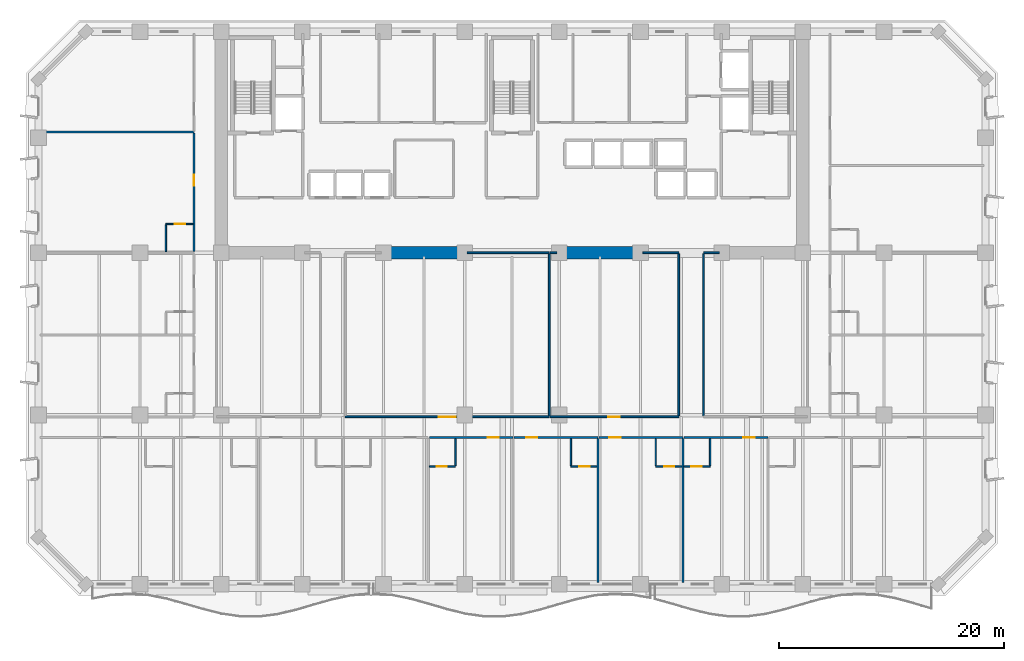
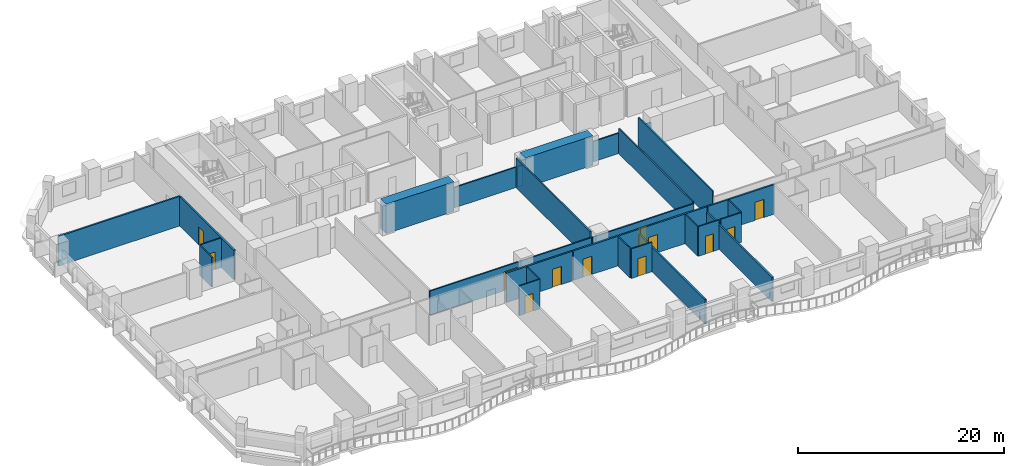
# One storey, part 6 of 15: 29 walls, 12 doors, 12 openings.
"""IFC4 building model written with IfcOpenShell, lengths in metres."""

from ifc_helpers import new_model, si_unit, direction, frame, frame_2d, origin, place, context, subcontext, project, spatial, rectangle, extrude, material, layer, layer_set, type_object, element, fill, save


model = new_model("IFC4")

# Units and contexts
model_context = context("Model", 3, precision=1e-05, world=origin(), true_north=direction((0.0, 1.0)))
body_context = subcontext(model_context, "Body", "Model", "MODEL_VIEW")
ifc_project = project(units=[si_unit("LENGTHUNIT", "METRE"), si_unit("AREAUNIT", "SQUARE_METRE"), si_unit("VOLUMEUNIT", "CUBIC_METRE"), si_unit("PLANEANGLEUNIT", "RADIAN"), si_unit("MASSUNIT", "GRAM", prefix="KILO")], contexts=[model_context])

# Site, building, storey
site_placement = place(None, origin())
site = spatial("IfcSite", under=ifc_project, at=site_placement, CompositionType="ELEMENT")
building_placement = place(site_placement, origin())
building = spatial("IfcBuilding", under=site, at=building_placement, Name="Kaelvorn Grand Hotel", CompositionType="ELEMENT")
storey_placement = place(building_placement, frame((0.0, 0.0, 65.14990234375)))
storey = spatial("IfcBuildingStorey", under=building, at=storey_placement, Name="L14", CompositionType="ELEMENT", Elevation=65.14990234375)

# Walls
ifc_material_1 = material(Name="Concrete C80/95", Category="concrete")
ifc_layer_1 = layer(ifc_material_1, 1.10009765625)
ifc_layer_set_1 = layer_set([ifc_layer_1], Name="Concrete C80/95")
wall_type_1 = type_object("IfcWallType", Name="WL-CORE-1100-C80", PredefinedType="SHEAR", material=ifc_layer_set_1)
for number, where, z_axis, x_axis, name in (
    (1, (30.39990234375, 29.39990234375, 0.0), (0.0, 0.0, 1.0), (1.0, 0.0, 0.0), "L14 Rear-Core Coupled Shear Pier S2"),
    (2, (46.0, 29.39990234375, 0.0), (0.0, 0.0, 1.0), (1.0, 0.0, 0.0), "L14 Rear-Core Coupled Shear Pier S3"),
):
    element("IfcWall", number, at=place(storey_placement, frame(where, z_axis=z_axis, x_axis=x_axis)), inside=storey, type_object=wall_type_1, Name=name, PredefinedType="SHEAR", context=body_context, shape_type="SweptSolid", body=[
        extrude(rectangle(XDim=7.60009765625, YDim=1.10009765625, at=frame_2d((3.800048828125, 0.0))), origin(), (0.0, 0.0, 1.0), 3.510009765625),
    ])

# Wall, opening, door
ifc_material_2 = material(Name="Moisture-Resistant Tile & Stud Board")
ifc_layer_2 = layer(ifc_material_2, 0.125)
ifc_layer_set_2 = layer_set([ifc_layer_2], Name="Moisture-Resistant Tile & Stud Board")
wall_type_2 = type_object("IfcWallType", Name="WL-PART-125-WET", PredefinedType="PARTITIONING", material=ifc_layer_set_2)
wall_1_placement = place(storey_placement, frame((34.665283203125, 10.449951171875, 0.0), z_axis=(0.0, 0.0, 1.0), x_axis=(1.0, 0.0, 0.0)))
wall_1 = element("IfcWall", 3, at=wall_1_placement, inside=storey, type_object=wall_type_2, Name="L14 En-suite Bathroom L14-05 S Partition", PredefinedType="PARTITIONING", context=body_context, shape_type="SweptSolid", body=[
    extrude(rectangle(XDim=2.31494140625, YDim=0.125, at=frame_2d((1.157470703125, 0.0))), origin(), (0.0, 0.0, 1.0), 3.510009765625),
])
opening_1_placement = place(wall_1_placement, frame((0.659912109375, 0.0, 0.0)))
opening_1 = element("IfcOpeningElement", 4, at=opening_1_placement, cuts=wall_1, Name="Opening DI4", PredefinedType="OPENING", context=body_context, shape_type="SweptSolid", body=[
    extrude(rectangle(XDim=0.89990234375, YDim=2.10009765625, at=frame_2d((0.449951171875, 1.050048828125))), frame((0.0, 0.072509765625, 0.0), z_axis=(0.0, -1.0, 0.0), x_axis=(1.0, 0.0, 0.0)), (0.0, 0.0, 1.0), 0.14501953125),
])
ifc_material_3 = material(Name="Timber Veneer Leaf", Category="wood")
door_type_1 = type_object("IfcDoorType", Name="DR-INT-BATH-900x2100", OperationType="NOTDEFINED", PredefinedType="DOOR", material=ifc_material_3)
door_1_placement = place(opening_1_placement, origin())
door_1 = element("IfcDoor", 5, at=door_1_placement, inside=storey, type_object=door_type_1, Name="L14 En-suite Bathroom L14-05 Door", OperationType="SINGLE_SWING_RIGHT", OverallHeight=2.10009765625, OverallWidth=0.89990234375, PredefinedType="DOOR", context=body_context, shape_type="SweptSolid", body=[
    extrude(rectangle(XDim=0.89990234375, YDim=2.10009765625, at=frame_2d((0.449951171875, 1.050048828125))), frame((0.0, 0.02490234375, 0.0), z_axis=(0.0, -1.0, 0.0), x_axis=(1.0, 0.0, 0.0)), (0.0, 0.0, 1.0), 0.050048828125),
])
fill(opening_1, door_1)

# Wall
wall_2_placement = place(storey_placement, frame((36.980224609375, 10.517578125, 0.0), z_axis=(0.0, 0.0, 1.0), x_axis=(0.0, 1.0, 0.0)))
element("IfcWall", 6, at=wall_2_placement, inside=storey, type_object=wall_type_2, Name="L14 En-suite Bathroom L14-05 E Partition", PredefinedType="PARTITIONING", context=body_context, shape_type="SweptSolid", body=[
    extrude(rectangle(XDim=2.387451171875, YDim=0.125, at=frame_2d((1.19384765625, 0.0))), origin(), (0.0, 0.0, 1.0), 3.510009765625),
])

# Wall, opening, door
wall_3_placement = place(storey_placement, frame((47.220458984375, 10.449951171875, 0.0), z_axis=(0.0, 0.0, 1.0), x_axis=(1.0, 0.0, 0.0)))
wall_3 = element("IfcWall", 7, at=wall_3_placement, inside=storey, type_object=wall_type_2, Name="L14 En-suite Bathroom L14-06 S Partition", PredefinedType="PARTITIONING", context=body_context, shape_type="SweptSolid", body=[
    extrude(rectangle(XDim=2.31494140625, YDim=0.125, at=frame_2d((1.157470703125, 0.0))), origin(), (0.0, 0.0, 1.0), 3.510009765625),
])
opening_2_placement = place(wall_3_placement, frame((0.7548828125, 0.0, 0.0)))
opening_2 = element("IfcOpeningElement", 8, at=opening_2_placement, cuts=wall_3, Name="Opening DI4", PredefinedType="OPENING", context=body_context, shape_type="SweptSolid", body=[
    extrude(rectangle(XDim=0.89990234375, YDim=2.10009765625, at=frame_2d((0.449951171875, 1.050048828125))), frame((0.0, 0.072509765625, 0.0), z_axis=(0.0, -1.0, 0.0), x_axis=(1.0, 0.0, 0.0)), (0.0, 0.0, 1.0), 0.14501953125),
])
door_2_placement = place(opening_2_placement, origin())
door_2 = element("IfcDoor", 9, at=door_2_placement, inside=storey, type_object=door_type_1, Name="L14 En-suite Bathroom L14-06 Door", OperationType="SINGLE_SWING_RIGHT", OverallHeight=2.10009765625, OverallWidth=0.89990234375, PredefinedType="DOOR", context=body_context, shape_type="SweptSolid", body=[
    extrude(rectangle(XDim=0.89990234375, YDim=2.10009765625, at=frame_2d((0.449951171875, 1.050048828125))), frame((0.0, 0.02490234375, 0.0), z_axis=(0.0, -1.0, 0.0), x_axis=(1.0, 0.0, 0.0)), (0.0, 0.0, 1.0), 0.050048828125),
])
fill(opening_2, door_2)

# Wall
wall_4_placement = place(storey_placement, frame((47.220458984375, 10.517578125, 0.0), z_axis=(0.0, 0.0, 1.0), x_axis=(0.0, 1.0, 0.0)))
element("IfcWall", 10, at=wall_4_placement, inside=storey, type_object=wall_type_2, Name="L14 En-suite Bathroom L14-06 W Partition", PredefinedType="PARTITIONING", context=body_context, shape_type="SweptSolid", body=[
    extrude(rectangle(XDim=2.387451171875, YDim=0.125, at=frame_2d((1.19384765625, 0.0))), origin(), (0.0, 0.0, 1.0), 3.510009765625),
])

# Wall, opening, door
wall_5_placement = place(storey_placement, frame((54.75048828125, 10.449951171875, 0.0), z_axis=(0.0, 0.0, 1.0), x_axis=(1.0, 0.0, 0.0)))
wall_5 = element("IfcWall", 11, at=wall_5_placement, inside=storey, type_object=wall_type_2, Name="L14 En-suite Bathroom L14-07 S Partition", PredefinedType="PARTITIONING", context=body_context, shape_type="SweptSolid", body=[
    extrude(rectangle(XDim=2.315185546875, YDim=0.125, at=frame_2d((1.15771484375, 0.0))), origin(), (0.0, 0.0, 1.0), 3.510009765625),
])
opening_3_placement = place(wall_5_placement, frame((0.7548828125, 0.0, 0.0)))
opening_3 = element("IfcOpeningElement", 12, at=opening_3_placement, cuts=wall_5, Name="Opening DI4", PredefinedType="OPENING", context=body_context, shape_type="SweptSolid", body=[
    extrude(rectangle(XDim=0.89990234375, YDim=2.10009765625, at=frame_2d((0.449951171875, 1.050048828125))), frame((0.0, 0.072509765625, 0.0), z_axis=(0.0, -1.0, 0.0), x_axis=(1.0, 0.0, 0.0)), (0.0, 0.0, 1.0), 0.14501953125),
])
door_3_placement = place(opening_3_placement, origin())
door_3 = element("IfcDoor", 13, at=door_3_placement, inside=storey, type_object=door_type_1, Name="L14 En-suite Bathroom L14-07 Door", OperationType="SINGLE_SWING_RIGHT", OverallHeight=2.10009765625, OverallWidth=0.89990234375, PredefinedType="DOOR", context=body_context, shape_type="SweptSolid", body=[
    extrude(rectangle(XDim=0.89990234375, YDim=2.10009765625, at=frame_2d((0.449951171875, 1.050048828125))), frame((0.0, 0.02490234375, 0.0), z_axis=(0.0, -1.0, 0.0), x_axis=(1.0, 0.0, 0.0)), (0.0, 0.0, 1.0), 0.050048828125),
])
fill(opening_3, door_3)

# Wall
wall_6_placement = place(storey_placement, frame((54.75048828125, 10.517578125, 0.0), z_axis=(0.0, 0.0, 1.0), x_axis=(0.0, 1.0, 0.0)))
element("IfcWall", 14, at=wall_6_placement, inside=storey, type_object=wall_type_2, Name="L14 En-suite Bathroom L14-07 W Partition", PredefinedType="PARTITIONING", context=body_context, shape_type="SweptSolid", body=[
    extrude(rectangle(XDim=2.387451171875, YDim=0.125, at=frame_2d((1.19384765625, 0.0))), origin(), (0.0, 0.0, 1.0), 3.510009765625),
])

# Wall, opening, door
wall_7_placement = place(storey_placement, frame((57.255615234375, 10.449951171875, 0.0), z_axis=(0.0, 0.0, 1.0), x_axis=(1.0, 0.0, 0.0)))
wall_7 = element("IfcWall", 15, at=wall_7_placement, inside=storey, type_object=wall_type_2, Name="L14 En-suite Bathroom L14-08 S Partition", PredefinedType="PARTITIONING", context=body_context, shape_type="SweptSolid", body=[
    extrude(rectangle(XDim=2.31494140625, YDim=0.125, at=frame_2d((1.157470703125, 0.0))), origin(), (0.0, 0.0, 1.0), 3.510009765625),
])
opening_4_placement = place(wall_7_placement, frame((0.659912109375, 0.0, 0.0)))
opening_4 = element("IfcOpeningElement", 16, at=opening_4_placement, cuts=wall_7, Name="Opening DI4", PredefinedType="OPENING", context=body_context, shape_type="SweptSolid", body=[
    extrude(rectangle(XDim=0.89990234375, YDim=2.10009765625, at=frame_2d((0.449951171875, 1.050048828125))), frame((0.0, 0.072509765625, 0.0), z_axis=(0.0, -1.0, 0.0), x_axis=(1.0, 0.0, 0.0)), (0.0, 0.0, 1.0), 0.14501953125),
])
door_4_placement = place(opening_4_placement, origin())
door_4 = element("IfcDoor", 17, at=door_4_placement, inside=storey, type_object=door_type_1, Name="L14 En-suite Bathroom L14-08 Door", OperationType="SINGLE_SWING_RIGHT", OverallHeight=2.10009765625, OverallWidth=0.89990234375, PredefinedType="DOOR", context=body_context, shape_type="SweptSolid", body=[
    extrude(rectangle(XDim=0.89990234375, YDim=2.10009765625, at=frame_2d((0.449951171875, 1.050048828125))), frame((0.0, 0.02490234375, 0.0), z_axis=(0.0, -1.0, 0.0), x_axis=(1.0, 0.0, 0.0)), (0.0, 0.0, 1.0), 0.050048828125),
])
fill(opening_4, door_4)

# Wall
wall_8_placement = place(storey_placement, frame((59.570556640625, 10.517578125, 0.0), z_axis=(0.0, 0.0, 1.0), x_axis=(0.0, 1.0, 0.0)))
element("IfcWall", 18, at=wall_8_placement, inside=storey, type_object=wall_type_2, Name="L14 En-suite Bathroom L14-08 E Partition", PredefinedType="PARTITIONING", context=body_context, shape_type="SweptSolid", body=[
    extrude(rectangle(XDim=2.387451171875, YDim=0.125, at=frame_2d((1.19384765625, 0.0))), origin(), (0.0, 0.0, 1.0), 3.510009765625),
])

# Wall, opening, door
wall_9_placement = place(storey_placement, frame((11.300048828125, 31.949951171875, 0.0), z_axis=(0.0, 0.0, 1.0), x_axis=(1.0, 0.0, 0.0)))
wall_9 = element("IfcWall", 19, at=wall_9_placement, inside=storey, type_object=wall_type_2, Name="L14 En-suite Bathroom L14-15 N Partition", PredefinedType="PARTITIONING", context=body_context, shape_type="SweptSolid", body=[
    extrude(rectangle(XDim=2.405029296875, YDim=0.125, at=frame_2d((1.20263671875, 0.0))), origin(), (0.0, 0.0, 1.0), 3.510009765625),
])
opening_5_placement = place(wall_9_placement, frame((0.800048828125, 0.0, 0.0)))
opening_5 = element("IfcOpeningElement", 20, at=opening_5_placement, cuts=wall_9, Name="Opening DI4", PredefinedType="OPENING", context=body_context, shape_type="SweptSolid", body=[
    extrude(rectangle(XDim=0.89990234375, YDim=2.10009765625, at=frame_2d((0.449951171875, 1.050048828125))), frame((0.0, 0.072509765625, 0.0), z_axis=(0.0, -1.0, 0.0), x_axis=(1.0, 0.0, 0.0)), (0.0, 0.0, 1.0), 0.14501953125),
])
door_5_placement = place(opening_5_placement, origin())
door_5 = element("IfcDoor", 21, at=door_5_placement, inside=storey, type_object=door_type_1, Name="L14 En-suite Bathroom L14-15 Door", OperationType="SINGLE_SWING_LEFT", OverallHeight=2.10009765625, OverallWidth=0.89990234375, PredefinedType="DOOR", context=body_context, shape_type="SweptSolid", body=[
    extrude(rectangle(XDim=0.89990234375, YDim=2.10009765625, at=frame_2d((0.449951171875, 1.050048828125))), frame((0.0, 0.02490234375, 0.0), z_axis=(0.0, -1.0, 0.0), x_axis=(1.0, 0.0, 0.0)), (0.0, 0.0, 1.0), 0.050048828125),
])
fill(opening_5, door_5)

# Wall
wall_10_placement = place(storey_placement, frame((11.300048828125, 29.4951171875, 0.0), z_axis=(0.0, 0.0, 1.0), x_axis=(0.0, 1.0, 0.0)))
element("IfcWall", 22, at=wall_10_placement, inside=storey, type_object=wall_type_2, Name="L14 En-suite Bathroom L14-15 W Partition", PredefinedType="PARTITIONING", context=body_context, shape_type="SweptSolid", body=[
    extrude(rectangle(XDim=2.387451171875, YDim=0.125, at=frame_2d((1.19384765625, 0.0))), origin(), (0.0, 0.0, 1.0), 3.510009765625),
])

# Wall, opening, door
ifc_material_4 = material(Name="Acoustic Gypsum & Stud Partition")
ifc_layer_3 = layer(ifc_material_4, 0.14990234375)
ifc_layer_set_3 = layer_set([ifc_layer_3], Name="Acoustic Gypsum & Stud Partition")
wall_type_3 = type_object("IfcWallType", Name="WL-PART-150-EI60", PredefinedType="PARTITIONING", material=ifc_layer_set_3)
wall_11_placement = place(storey_placement, frame((27.199951171875, 14.85009765625, 0.0), z_axis=(0.0, 0.0, 1.0), x_axis=(1.0, 0.0, 0.0)))
wall_11 = element("IfcWall", 23, at=wall_11_placement, inside=storey, type_object=wall_type_3, Name="L14 Guest Pantry Kitchen S Partition", PredefinedType="PARTITIONING", context=body_context, shape_type="SweptSolid", body=[
    extrude(rectangle(XDim=18.10009765625, YDim=0.14990234375, at=frame_2d((9.050048828125, 0.0))), origin(), (0.0, 0.0, 1.0), 2.860107421875),
])
opening_6_placement = place(wall_11_placement, frame((8.300048828125, 0.0, 0.0)))
opening_6 = element("IfcOpeningElement", 24, at=opening_6_placement, cuts=wall_11, Name="Opening DI5", PredefinedType="OPENING", context=body_context, shape_type="SweptSolid", body=[
    extrude(rectangle(XDim=1.5, YDim=2.25, at=frame_2d((0.75, 1.125))), frame((0.0, 0.0849609375, 0.0), z_axis=(0.0, -1.0, 0.0), x_axis=(1.0, 0.0, 0.0)), (0.0, 0.0, 1.0), 0.169921875),
])
ifc_material_5 = material(Name="Timber Veneer Fire Leaf", Category="wood")
door_type_2 = type_object("IfcDoorType", Name="DR-INT-SALON-1500x2250", OperationType="DOUBLE_DOOR_SINGLE_SWING", PredefinedType="DOOR", material=ifc_material_5)
door_6_placement = place(opening_6_placement, origin())
door_6 = element("IfcDoor", 25, at=door_6_placement, inside=storey, type_object=door_type_2, Name="L14 Guest Pantry Kitchen Door", OperationType="DOUBLE_DOOR_SINGLE_SWING", OverallHeight=2.25, OverallWidth=1.5, PredefinedType="DOOR", context=body_context, shape_type="SweptSolid", body=[
    extrude(rectangle(XDim=1.5, YDim=2.25, at=frame_2d((0.75, 1.125))), frame((0.0, 0.02490234375, 0.0), z_axis=(0.0, -1.0, 0.0), x_axis=(1.0, 0.0, 0.0)), (0.0, 0.0, 1.0), 0.050048828125),
])
fill(opening_6, door_6)

# Walls
wall_12_placement = place(storey_placement, frame((38.010009765625, 29.39990234375, 0.0), z_axis=(0.0, 0.0, 1.0), x_axis=(1.0, 0.0, 0.0)))
element("IfcWall", 26, at=wall_12_placement, inside=storey, type_object=wall_type_3, Name="L14 Guest Pantry Kitchen N Partition (2)", PredefinedType="PARTITIONING", context=body_context, shape_type="SweptSolid", body=[
    extrude(rectangle(XDim=7.2900390625, YDim=0.14990234375, at=frame_2d((3.64501953125, 0.0))), origin(), (0.0, 0.0, 1.0), 2.41015625),
])
wall_13_placement = place(storey_placement, frame((45.300048828125, 14.929931640625, 0.0), z_axis=(0.0, 0.0, 1.0), x_axis=(0.0, 1.0, 0.0)))
element("IfcWall", 27, at=wall_13_placement, inside=storey, type_object=wall_type_3, Name="L14 Guest Pantry Kitchen E Partition", PredefinedType="PARTITIONING", context=body_context, shape_type="SweptSolid", body=[
    extrude(rectangle(XDim=14.39013671875, YDim=0.14990234375, at=frame_2d((7.195068359375, 0.0))), origin(), (0.0, 0.0, 1.0), 3.510009765625),
])

# Wall, opening, door
wall_14_placement = place(storey_placement, frame((45.3798828125, 14.85009765625, 0.0), z_axis=(0.0, 0.0, 1.0), x_axis=(1.0, 0.0, 0.0)))
wall_14 = element("IfcWall", 28, at=wall_14_placement, inside=storey, type_object=wall_type_3, Name="L14 Diplomatic Living Room S Partition", PredefinedType="PARTITIONING", context=body_context, shape_type="SweptSolid", body=[
    extrude(rectangle(XDim=11.420166015625, YDim=0.14990234375, at=frame_2d((5.7099609375, 0.0))), origin(), (0.0, 0.0, 1.0), 2.860107421875),
])
opening_7_placement = place(wall_14_placement, frame((5.169921875, 0.0, 0.0)))
opening_7 = element("IfcOpeningElement", 29, at=opening_7_placement, cuts=wall_14, Name="Opening DI3", PredefinedType="OPENING", context=body_context, shape_type="SweptSolid", body=[
    extrude(rectangle(XDim=1.0, YDim=2.14990234375, at=frame_2d((0.5, 1.074951171875))), frame((0.0, 0.0849609375, 0.0), z_axis=(0.0, -1.0, 0.0), x_axis=(1.0, 0.0, 0.0)), (0.0, 0.0, 1.0), 0.169921875),
])
door_type_3 = type_object("IfcDoorType", Name="DR-INT-GUEST-1000x2150", OperationType="NOTDEFINED", PredefinedType="DOOR", material=ifc_material_5)
door_7_placement = place(opening_7_placement, origin())
door_7 = element("IfcDoor", 30, at=door_7_placement, inside=storey, type_object=door_type_3, Name="L14 Diplomatic Living Room Door", OperationType="SINGLE_SWING_RIGHT", OverallHeight=2.14990234375, OverallWidth=1.0, PredefinedType="DOOR", context=body_context, shape_type="SweptSolid", body=[
    extrude(rectangle(XDim=1.0, YDim=2.14990234375, at=frame_2d((0.5, 1.074951171875))), frame((0.0, 0.02490234375, 0.0), z_axis=(0.0, -1.0, 0.0), x_axis=(1.0, 0.0, 0.0)), (0.0, 0.0, 1.0), 0.050048828125),
])
fill(opening_7, door_7)

# Walls
wall_15_placement = place(storey_placement, frame((45.3798828125, 29.39990234375, 0.0), z_axis=(0.0, 0.0, 1.0), x_axis=(1.0, 0.0, 0.0)))
element("IfcWall", 31, at=wall_15_placement, inside=storey, type_object=wall_type_3, Name="L14 Diplomatic Living Room N Partition (1)", PredefinedType="PARTITIONING", context=body_context, shape_type="SweptSolid", body=[
    extrude(rectangle(XDim=0.610107421875, YDim=0.14990234375, at=frame_2d((0.30517578125, 0.0))), origin(), (0.0, 0.0, 1.0), 2.41015625),
])
wall_16_placement = place(storey_placement, frame((53.610107421875, 29.39990234375, 0.0), z_axis=(0.0, 0.0, 1.0), x_axis=(1.0, 0.0, 0.0)))
element("IfcWall", 32, at=wall_16_placement, inside=storey, type_object=wall_type_3, Name="L14 Diplomatic Living Room N Partition (2)", PredefinedType="PARTITIONING", context=body_context, shape_type="SweptSolid", body=[
    extrude(rectangle(XDim=3.18994140625, YDim=0.14990234375, at=frame_2d((1.594970703125, 0.0))), origin(), (0.0, 0.0, 1.0), 2.41015625),
])
wall_17_placement = place(storey_placement, frame((56.800048828125, 14.929931640625, 0.0), z_axis=(0.0, 0.0, 1.0), x_axis=(0.0, 1.0, 0.0)))
element("IfcWall", 33, at=wall_17_placement, inside=storey, type_object=wall_type_3, Name="L14 Diplomatic Living Room E Partition", PredefinedType="PARTITIONING", context=body_context, shape_type="SweptSolid", body=[
    extrude(rectangle(XDim=14.39013671875, YDim=0.14990234375, at=frame_2d((7.195068359375, 0.0))), origin(), (0.0, 0.0, 1.0), 2.97705078125),
])
wall_18_placement = place(storey_placement, frame((59.0, 29.39990234375, 0.0), z_axis=(0.0, 0.0, 1.0), x_axis=(1.0, 0.0, 0.0)))
element("IfcWall", 34, at=wall_18_placement, inside=storey, type_object=wall_type_3, Name="L14 Executive Meeting Room N Partition", PredefinedType="PARTITIONING", context=body_context, shape_type="SweptSolid", body=[
    extrude(rectangle(XDim=1.389892578125, YDim=0.14990234375, at=frame_2d((0.69482421875, 0.0))), origin(), (0.0, 0.0, 1.0), 2.41015625),
])
wall_19_placement = place(storey_placement, frame((59.0, 14.929931640625, 0.0), z_axis=(0.0, 0.0, 1.0), x_axis=(0.0, 1.0, 0.0)))
element("IfcWall", 35, at=wall_19_placement, inside=storey, type_object=wall_type_3, Name="L14 Executive Meeting Room W Partition", PredefinedType="PARTITIONING", context=body_context, shape_type="SweptSolid", body=[
    extrude(rectangle(XDim=14.39013671875, YDim=0.14990234375, at=frame_2d((7.195068359375, 0.0))), origin(), (0.0, 0.0, 1.0), 3.510009765625),
])

# Wall, opening, door
ifc_layer_4 = layer(ifc_material_4, 0.179931640625)
ifc_layer_set_4 = layer_set([ifc_layer_4], Name="Acoustic Gypsum & Stud Partition")
wall_type_4 = type_object("IfcWallType", Name="WL-PART-180-EI60", PredefinedType="PARTITIONING", material=ifc_layer_set_4)
wall_20_placement = place(storey_placement, frame((34.665283203125, 13.0, 0.0), z_axis=(0.0, 0.0, 1.0), x_axis=(1.0, 0.0, 0.0)))
wall_20 = element("IfcWall", 36, at=wall_20_placement, inside=storey, type_object=wall_type_4, Name="L14 Deluxe Panoramic Suite L14-05 N Partition", PredefinedType="PARTITIONING", context=body_context, shape_type="SweptSolid", body=[
    extrude(rectangle(XDim=7.43505859375, YDim=0.179931640625, at=frame_2d((3.717529296875, 0.0))), origin(), (0.0, 0.0, 1.0), 3.510009765625),
])
opening_8_placement = place(wall_20_placement, frame((5.1748046875, 0.0, 0.0)))
opening_8 = element("IfcOpeningElement", 37, at=opening_8_placement, cuts=wall_20, Name="Opening DI3", PredefinedType="OPENING", context=body_context, shape_type="SweptSolid", body=[
    extrude(rectangle(XDim=1.0, YDim=2.14990234375, at=frame_2d((0.5, 1.074951171875))), frame((0.0, 0.10009765625, 0.0), z_axis=(0.0, -1.0, 0.0), x_axis=(1.0, 0.0, 0.0)), (0.0, 0.0, 1.0), 0.199951171875),
])
door_8_placement = place(opening_8_placement, origin())
door_8 = element("IfcDoor", 38, at=door_8_placement, inside=storey, type_object=door_type_3, Name="L14 Deluxe Panoramic Suite L14-05 Door", OperationType="SINGLE_SWING_LEFT", OverallHeight=2.14990234375, OverallWidth=1.0, PredefinedType="DOOR", context=body_context, shape_type="SweptSolid", body=[
    extrude(rectangle(XDim=1.0, YDim=2.14990234375, at=frame_2d((0.5, 1.074951171875))), frame((0.0, 0.02490234375, 0.0), z_axis=(0.0, -1.0, 0.0), x_axis=(1.0, 0.0, 0.0)), (0.0, 0.0, 1.0), 0.050048828125),
])
fill(opening_8, door_8)

wall_21_placement = place(storey_placement, frame((42.1953125, 13.0, 0.0), z_axis=(0.0, 0.0, 1.0), x_axis=(1.0, 0.0, 0.0)))
wall_21 = element("IfcWall", 39, at=wall_21_placement, inside=storey, type_object=wall_type_4, Name="L14 Deluxe Panoramic Suite L14-06 N Partition", PredefinedType="PARTITIONING", context=body_context, shape_type="SweptSolid", body=[
    extrude(rectangle(XDim=7.435302734375, YDim=0.179931640625, at=frame_2d((3.7177734375, 0.0))), origin(), (0.0, 0.0, 1.0), 3.510009765625),
])
opening_9_placement = place(wall_21_placement, frame((1.064697265625, 0.0, 0.0)))
opening_9 = element("IfcOpeningElement", 40, at=opening_9_placement, cuts=wall_21, Name="Opening DI3", PredefinedType="OPENING", context=body_context, shape_type="SweptSolid", body=[
    extrude(rectangle(XDim=1.0, YDim=2.14990234375, at=frame_2d((0.5, 1.074951171875))), frame((0.0, 0.10009765625, 0.0), z_axis=(0.0, -1.0, 0.0), x_axis=(1.0, 0.0, 0.0)), (0.0, 0.0, 1.0), 0.199951171875),
])
door_9_placement = place(opening_9_placement, origin())
door_9 = element("IfcDoor", 41, at=door_9_placement, inside=storey, type_object=door_type_3, Name="L14 Deluxe Panoramic Suite L14-06 Door", OperationType="SINGLE_SWING_LEFT", OverallHeight=2.14990234375, OverallWidth=1.0, PredefinedType="DOOR", context=body_context, shape_type="SweptSolid", body=[
    extrude(rectangle(XDim=1.0, YDim=2.14990234375, at=frame_2d((0.5, 1.074951171875))), frame((0.0, 0.02490234375, 0.0), z_axis=(0.0, -1.0, 0.0), x_axis=(1.0, 0.0, 0.0)), (0.0, 0.0, 1.0), 0.050048828125),
])
fill(opening_9, door_9)

# Wall
wall_22_placement = place(storey_placement, frame((49.630615234375, 0.14990234375, 0.0), z_axis=(0.0, 0.0, 1.0), x_axis=(0.0, 1.0, 0.0)))
element("IfcWall", 42, at=wall_22_placement, inside=storey, type_object=wall_type_4, Name="L14 Deluxe Panoramic Suite L14-06 E Partition", PredefinedType="PARTITIONING", context=body_context, shape_type="SweptSolid", body=[
    extrude(rectangle(XDim=12.755126953125, YDim=0.179931640625, at=frame_2d((6.37744140625, 0.0))), origin(), (0.0, 0.0, 1.0), 2.89794921875),
])

# Wall, opening, door
wall_23_placement = place(storey_placement, frame((49.7255859375, 13.0, 0.0), z_axis=(0.0, 0.0, 1.0), x_axis=(1.0, 0.0, 0.0)))
wall_23 = element("IfcWall", 43, at=wall_23_placement, inside=storey, type_object=wall_type_4, Name="L14 Deluxe Panoramic Suite L14-07 N Partition", PredefinedType="PARTITIONING", context=body_context, shape_type="SweptSolid", body=[
    extrude(rectangle(XDim=7.43505859375, YDim=0.179931640625, at=frame_2d((3.717529296875, 0.0))), origin(), (0.0, 0.0, 1.0), 3.510009765625),
])
opening_10_placement = place(wall_23_placement, frame((0.899658203125, 0.0, 0.0)))
opening_10 = element("IfcOpeningElement", 44, at=opening_10_placement, cuts=wall_23, Name="Opening DI3", PredefinedType="OPENING", context=body_context, shape_type="SweptSolid", body=[
    extrude(rectangle(XDim=1.0, YDim=2.14990234375, at=frame_2d((0.5, 1.074951171875))), frame((0.0, 0.10009765625, 0.0), z_axis=(0.0, -1.0, 0.0), x_axis=(1.0, 0.0, 0.0)), (0.0, 0.0, 1.0), 0.199951171875),
])
door_10_placement = place(opening_10_placement, origin())
door_10 = element("IfcDoor", 45, at=door_10_placement, inside=storey, type_object=door_type_3, Name="L14 Deluxe Panoramic Suite L14-07 Door", OperationType="SINGLE_SWING_LEFT", OverallHeight=2.14990234375, OverallWidth=1.0, PredefinedType="DOOR", context=body_context, shape_type="SweptSolid", body=[
    extrude(rectangle(XDim=1.0, YDim=2.14990234375, at=frame_2d((0.5, 1.074951171875))), frame((0.0, 0.02490234375, 0.0), z_axis=(0.0, -1.0, 0.0), x_axis=(1.0, 0.0, 0.0)), (0.0, 0.0, 1.0), 0.050048828125),
])
fill(opening_10, door_10)

# Wall
wall_24_placement = place(storey_placement, frame((57.16064453125, 0.14990234375, 0.0), z_axis=(0.0, 0.0, 1.0), x_axis=(0.0, 1.0, 0.0)))
element("IfcWall", 46, at=wall_24_placement, inside=storey, type_object=wall_type_4, Name="L14 Deluxe Panoramic Suite L14-07 E Partition", PredefinedType="PARTITIONING", context=body_context, shape_type="SweptSolid", body=[
    extrude(rectangle(XDim=12.755126953125, YDim=0.179931640625, at=frame_2d((6.37744140625, 0.0))), origin(), (0.0, 0.0, 1.0), 2.89794921875),
])

# Wall, opening, door
wall_25_placement = place(storey_placement, frame((57.255615234375, 13.0, 0.0), z_axis=(0.0, 0.0, 1.0), x_axis=(1.0, 0.0, 0.0)))
wall_25 = element("IfcWall", 47, at=wall_25_placement, inside=storey, type_object=wall_type_4, Name="L14 Deluxe Panoramic Suite L14-08 N Partition", PredefinedType="PARTITIONING", context=body_context, shape_type="SweptSolid", body=[
    extrude(rectangle(XDim=7.43505859375, YDim=0.179931640625, at=frame_2d((3.717529296875, 0.0))), origin(), (0.0, 0.0, 1.0), 3.510009765625),
])
opening_11_placement = place(wall_25_placement, frame((5.27978515625, 0.0, 0.0)))
opening_11 = element("IfcOpeningElement", 48, at=opening_11_placement, cuts=wall_25, Name="Opening DI3", PredefinedType="OPENING", context=body_context, shape_type="SweptSolid", body=[
    extrude(rectangle(XDim=1.0, YDim=2.14990234375, at=frame_2d((0.5, 1.074951171875))), frame((0.0, 0.10009765625, 0.0), z_axis=(0.0, -1.0, 0.0), x_axis=(1.0, 0.0, 0.0)), (0.0, 0.0, 1.0), 0.199951171875),
])
door_11_placement = place(opening_11_placement, origin())
door_11 = element("IfcDoor", 49, at=door_11_placement, inside=storey, type_object=door_type_3, Name="L14 Deluxe Panoramic Suite L14-08 Door", OperationType="SINGLE_SWING_LEFT", OverallHeight=2.14990234375, OverallWidth=1.0, PredefinedType="DOOR", context=body_context, shape_type="SweptSolid", body=[
    extrude(rectangle(XDim=1.0, YDim=2.14990234375, at=frame_2d((0.5, 1.074951171875))), frame((0.0, 0.02490234375, 0.0), z_axis=(0.0, -1.0, 0.0), x_axis=(1.0, 0.0, 0.0)), (0.0, 0.0, 1.0), 0.050048828125),
])
fill(opening_11, door_11)

# Wall
wall_26_placement = place(storey_placement, frame((0.14990234375, 40.10009765625, 0.0), z_axis=(0.0, 0.0, 1.0), x_axis=(1.0, 0.0, 0.0)))
element("IfcWall", 50, at=wall_26_placement, inside=storey, type_object=wall_type_4, Name="L14 North-West Wing Suite L14-15 N Partition", PredefinedType="PARTITIONING", context=body_context, shape_type="SweptSolid", body=[
    extrude(rectangle(XDim=13.650146484375, YDim=0.179931640625, at=frame_2d((6.8251953125, 0.0))), origin(), (0.0, 0.0, 1.0), 3.510009765625),
])

# Wall, opening, door
wall_27_placement = place(storey_placement, frame((13.800048828125, 29.4951171875, 0.0), z_axis=(0.0, 0.0, 1.0), x_axis=(0.0, 1.0, 0.0)))
wall_27 = element("IfcWall", 51, at=wall_27_placement, inside=storey, type_object=wall_type_4, Name="L14 North-West Wing Suite L14-15 E Partition", PredefinedType="PARTITIONING", context=body_context, shape_type="SweptSolid", body=[
    extrude(rectangle(XDim=10.509765625, YDim=0.179931640625, at=frame_2d((5.2548828125, 0.0))), origin(), (0.0, 0.0, 1.0), 3.510009765625),
])
opening_12_placement = place(wall_27_placement, frame((5.840087890625, 0.0, 0.0)))
opening_12 = element("IfcOpeningElement", 52, at=opening_12_placement, cuts=wall_27, Name="Opening DI3", PredefinedType="OPENING", context=body_context, shape_type="SweptSolid", body=[
    extrude(rectangle(XDim=1.0, YDim=2.14990234375, at=frame_2d((0.5, 1.074951171875))), frame((0.0, 0.10009765625, 0.0), z_axis=(0.0, -1.0, 0.0), x_axis=(1.0, 0.0, 0.0)), (0.0, 0.0, 1.0), 0.199951171875),
])
door_12_placement = place(opening_12_placement, origin())
door_12 = element("IfcDoor", 53, at=door_12_placement, inside=storey, type_object=door_type_3, Name="L14 North-West Wing Suite L14-15 Door", OperationType="SINGLE_SWING_RIGHT", OverallHeight=2.14990234375, OverallWidth=1.0, PredefinedType="DOOR", context=body_context, shape_type="SweptSolid", body=[
    extrude(rectangle(XDim=1.0, YDim=2.14990234375, at=frame_2d((0.5, 1.074951171875))), frame((0.0, 0.02490234375, 0.0), z_axis=(0.0, -1.0, 0.0), x_axis=(1.0, 0.0, 0.0)), (0.0, 0.0, 1.0), 0.050048828125),
])
fill(opening_12, door_12)

save(model, "model.ifc")
